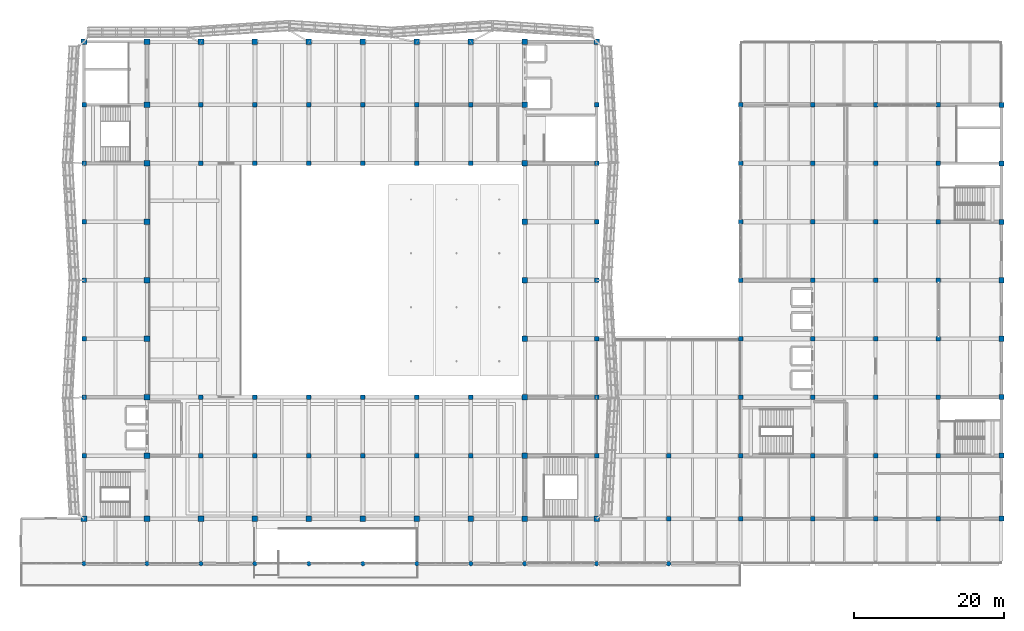
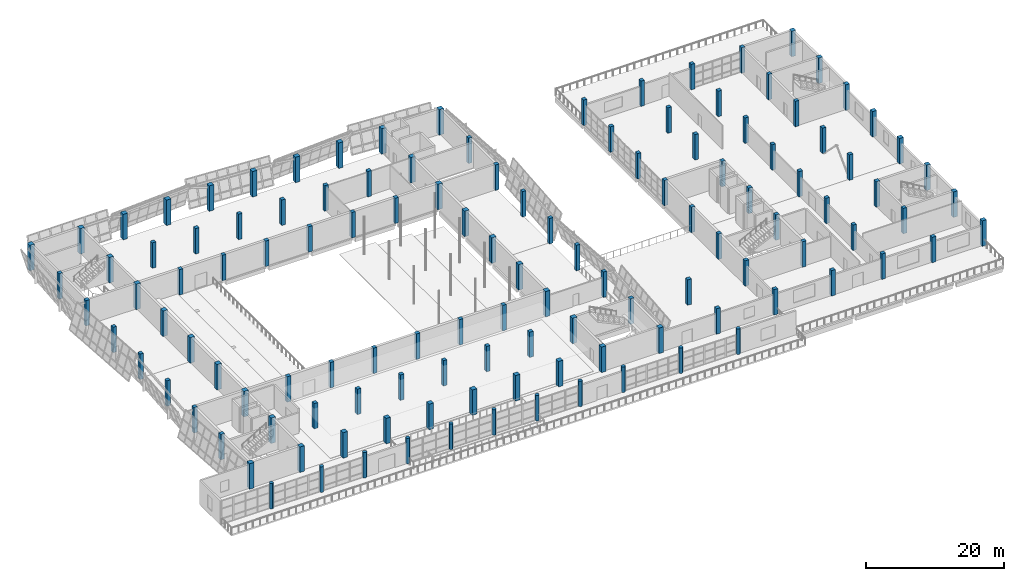
# One storey, part 1 of 71: 125 columns.
"""IFC4 building model written with IfcOpenShell, lengths in metres."""

from ifc_helpers import new_model, si_unit, direction, frame, origin, origin_2d, place, context, subcontext, project, spatial, rectangle, circle, extrude, material, material_profile, profile_set, type_object, element, save


model = new_model("IFC4")

# Units and contexts
model_context = context("Model", 3, precision=1e-05, world=origin(), true_north=direction((0.0, 1.0)))
body_context = subcontext(model_context, "Body", "Model", "MODEL_VIEW")
ifc_project = project(units=[si_unit("LENGTHUNIT", "METRE"), si_unit("AREAUNIT", "SQUARE_METRE"), si_unit("VOLUMEUNIT", "CUBIC_METRE"), si_unit("PLANEANGLEUNIT", "RADIAN"), si_unit("MASSUNIT", "GRAM", prefix="KILO")], contexts=[model_context])

# Site, building, storey
site_placement = place(None, origin())
site = spatial("IfcSite", under=ifc_project, at=site_placement, CompositionType="ELEMENT")
building_placement = place(site_placement, origin())
building = spatial("IfcBuilding", under=site, at=building_placement, Name="Pellamere Symphony Hall", CompositionType="ELEMENT")
storey_placement = place(building_placement, frame((0.0, 0.0, 15.0)))
storey = spatial("IfcBuildingStorey", under=building, at=storey_placement, Name="L03", CompositionType="ELEMENT", Elevation=15.0)

# Columns
ifc_material = material(Name="Concrete 40 MPa", Category="concrete")
ifc_material_profile_1 = material_profile(ifc_material, circle(Radius=0.300048828125, at=origin_2d()), Name="RCCOL D600")
ifc_profile_set_1 = profile_set([ifc_material_profile_1], Name="Concrete 40 MPa")
column_type_1 = type_object("IfcColumnType", Name="RC Circular Foyer Column CC-17 D600", PredefinedType="COLUMN", material=ifc_profile_set_1)
for number, where, z_axis, x_axis, name in (
    (1, (50.39990234375, 24.0, 0.0), (0.0, 0.0, 1.0), (1.0, 0.0, 0.0), "Column C-7D (L03)"),
    (2, (58.800048828125, 24.0, 0.0), (0.0, 0.0, 1.0), (1.0, 0.0, 0.0), "Column C-8D (L03)"),
    (3, (66.0, 24.0, 0.0), (0.0, 0.0, 1.0), (1.0, 0.0, 0.0), "Column C-9D (L03)"),
    (4, (73.199951171875, 24.0, 0.0), (0.0, 0.0, 1.0), (1.0, 0.0, 0.0), "Column C-10D (L03)"),
    (5, (80.39990234375, 24.0, 0.0), (0.0, 0.0, 1.0), (1.0, 0.0, 0.0), "Column C-11D (L03)"),
    (6, (87.60009765625, 24.0, 0.0), (0.0, 0.0, 1.0), (1.0, 0.0, 0.0), "Column C-12D (L03)"),
    (7, (94.800048828125, 24.0, 0.0), (0.0, 0.0, 1.0), (1.0, 0.0, 0.0), "Column C-13D (L03)"),
    (8, (102.0, 24.0, 0.0), (0.0, 0.0, 1.0), (1.0, 0.0, 0.0), "Column C-14D (L03)"),
    (9, (109.199951171875, 24.0, 0.0), (0.0, 0.0, 1.0), (1.0, 0.0, 0.0), "Column C-15D (L03)"),
    (10, (118.800048828125, 24.0, 0.0), (0.0, 0.0, 1.0), (1.0, 0.0, 0.0), "Column C-16D (L03)"),
    (11, (128.39990234375, 24.0, 0.0), (0.0, 0.0, 1.0), (1.0, 0.0, 0.0), "Column C-17D (L03)"),
):
    element("IfcColumn", number, at=place(storey_placement, frame(where, z_axis=z_axis, x_axis=x_axis)), inside=storey, type_object=column_type_1, Name=name, PredefinedType="COLUMN", context=body_context, shape_type="SweptSolid", body=[
        extrude(circle(Radius=0.300048828125, at=origin_2d()), origin(), (0.0, 0.0, 1.0), 4.5),
    ])
ifc_material_profile_2 = material_profile(ifc_material, rectangle(XDim=0.75, YDim=0.75, at=origin_2d()), Name="RC 750x750")
ifc_profile_set_2 = profile_set([ifc_material_profile_2], Name="Concrete 40 MPa")
column_type_2 = type_object("IfcColumnType", Name="RC Column CC-05 750x750", PredefinedType="COLUMN", material=ifc_profile_set_2)
for number, where, z_axis, x_axis, name in (
    (12, (50.39990234375, 30.0, 0.0), (0.0, 0.0, 1.0), (1.0, 0.0, 0.0), "Column C-7E (L03)"),
    (13, (50.39990234375, 93.60009765625, 0.0), (0.0, 0.0, 1.0), (1.0, 0.0, 0.0), "Column C-7M (L03)"),
    (14, (58.800048828125, 30.0, 0.0), (0.0, 0.0, 1.0), (1.0, 0.0, 0.0), "Column C-8E (L03)"),
    (15, (58.800048828125, 38.39990234375, 0.0), (0.0, 0.0, 1.0), (1.0, 0.0, 0.0), "Column C-8F (L03)"),
    (16, (58.800048828125, 46.199951171875, 0.0), (0.0, 0.0, 1.0), (1.0, 0.0, 0.0), "Column C-8G (L03)"),
    (17, (58.800048828125, 54.0, 0.0), (0.0, 0.0, 1.0), (1.0, 0.0, 0.0), "Column C-8H (L03)"),
    (18, (58.800048828125, 61.800048828125, 0.0), (0.0, 0.0, 1.0), (1.0, 0.0, 0.0), "Column C-8I (L03)"),
    (19, (58.800048828125, 69.60009765625, 0.0), (0.0, 0.0, 1.0), (1.0, 0.0, 0.0), "Column C-8J (L03)"),
    (20, (58.800048828125, 77.39990234375, 0.0), (0.0, 0.0, 1.0), (1.0, 0.0, 0.0), "Column C-8K (L03)"),
    (21, (58.800048828125, 85.199951171875, 0.0), (0.0, 0.0, 1.0), (1.0, 0.0, 0.0), "Column C-8L (L03)"),
    (22, (58.800048828125, 93.60009765625, 0.0), (0.0, 0.0, 1.0), (1.0, 0.0, 0.0), "Column C-8M (L03)"),
    (23, (66.0, 30.0, 0.0), (0.0, 0.0, 1.0), (1.0, 0.0, 0.0), "Column C-9E (L03)"),
    (24, (66.0, 93.60009765625, 0.0), (0.0, 0.0, 1.0), (1.0, 0.0, 0.0), "Column C-9M (L03)"),
    (25, (73.199951171875, 30.0, 0.0), (0.0, 0.0, 1.0), (1.0, 0.0, 0.0), "Column C-10E (L03)"),
    (26, (73.199951171875, 93.60009765625, 0.0), (0.0, 0.0, 1.0), (1.0, 0.0, 0.0), "Column C-10M (L03)"),
    (27, (80.39990234375, 30.0, 0.0), (0.0, 0.0, 1.0), (1.0, 0.0, 0.0), "Column C-11E (L03)"),
    (28, (80.39990234375, 93.60009765625, 0.0), (0.0, 0.0, 1.0), (1.0, 0.0, 0.0), "Column C-11M (L03)"),
    (29, (87.60009765625, 30.0, 0.0), (0.0, 0.0, 1.0), (1.0, 0.0, 0.0), "Column C-12E (L03)"),
    (30, (87.60009765625, 93.60009765625, 0.0), (0.0, 0.0, 1.0), (1.0, 0.0, 0.0), "Column C-12M (L03)"),
    (31, (94.800048828125, 30.0, 0.0), (0.0, 0.0, 1.0), (1.0, 0.0, 0.0), "Column C-13E (L03)"),
    (32, (94.800048828125, 93.60009765625, 0.0), (0.0, 0.0, 1.0), (1.0, 0.0, 0.0), "Column C-13M (L03)"),
    (33, (102.0, 30.0, 0.0), (0.0, 0.0, 1.0), (1.0, 0.0, 0.0), "Column C-14E (L03)"),
    (34, (102.0, 93.60009765625, 0.0), (0.0, 0.0, 1.0), (1.0, 0.0, 0.0), "Column C-14M (L03)"),
    (35, (109.199951171875, 30.0, 0.0), (0.0, 0.0, 1.0), (1.0, 0.0, 0.0), "Column C-15E (L03)"),
    (36, (109.199951171875, 38.39990234375, 0.0), (0.0, 0.0, 1.0), (1.0, 0.0, 0.0), "Column C-15F (L03)"),
    (37, (109.199951171875, 46.199951171875, 0.0), (0.0, 0.0, 1.0), (1.0, 0.0, 0.0), "Column C-15G (L03)"),
    (38, (109.199951171875, 54.0, 0.0), (0.0, 0.0, 1.0), (1.0, 0.0, 0.0), "Column C-15H (L03)"),
    (39, (109.199951171875, 61.800048828125, 0.0), (0.0, 0.0, 1.0), (1.0, 0.0, 0.0), "Column C-15I (L03)"),
    (40, (109.199951171875, 69.60009765625, 0.0), (0.0, 0.0, 1.0), (1.0, 0.0, 0.0), "Column C-15J (L03)"),
    (41, (109.199951171875, 77.39990234375, 0.0), (0.0, 0.0, 1.0), (1.0, 0.0, 0.0), "Column C-15K (L03)"),
    (42, (109.199951171875, 85.199951171875, 0.0), (0.0, 0.0, 1.0), (1.0, 0.0, 0.0), "Column C-15L (L03)"),
    (43, (109.199951171875, 93.60009765625, 0.0), (0.0, 0.0, 1.0), (1.0, 0.0, 0.0), "Column C-15M (L03)"),
    (44, (118.800048828125, 30.0, 0.0), (0.0, 0.0, 1.0), (1.0, 0.0, 0.0), "Column C-16E (L03)"),
    (45, (118.800048828125, 93.60009765625, 0.0), (0.0, 0.0, 1.0), (1.0, 0.0, 0.0), "Column C-16M (L03)"),
):
    element("IfcColumn", number, at=place(storey_placement, frame(where, z_axis=z_axis, x_axis=x_axis)), inside=storey, type_object=column_type_2, Name=name, PredefinedType="COLUMN", context=body_context, shape_type="SweptSolid", body=[
        extrude(rectangle(XDim=0.75, YDim=0.75, at=origin_2d()), origin(), (0.0, 0.0, 1.0), 4.5),
    ])
ifc_material_profile_3 = material_profile(ifc_material, rectangle(XDim=0.60009765625, YDim=0.60009765625, at=origin_2d()), Name="RC 600x600")
ifc_profile_set_3 = profile_set([ifc_material_profile_3], Name="Concrete 40 MPa")
column_type_3 = type_object("IfcColumnType", Name="RC Column CC-08 600x600", PredefinedType="COLUMN", material=ifc_profile_set_3)
for number, where, z_axis, x_axis, name in (
    (46, (50.39990234375, 38.39990234375, 0.0), (0.0, 0.0, 1.0), (1.0, 0.0, 0.0), "Column C-7F (L03)"),
    (47, (50.39990234375, 46.199951171875, 0.0), (0.0, 0.0, 1.0), (1.0, 0.0, 0.0), "Column C-7G (L03)"),
    (48, (50.39990234375, 54.0, 0.0), (0.0, 0.0, 1.0), (1.0, 0.0, 0.0), "Column C-7H (L03)"),
    (49, (50.39990234375, 61.800048828125, 0.0), (0.0, 0.0, 1.0), (1.0, 0.0, 0.0), "Column C-7I (L03)"),
    (50, (50.39990234375, 69.60009765625, 0.0), (0.0, 0.0, 1.0), (1.0, 0.0, 0.0), "Column C-7J (L03)"),
    (51, (50.39990234375, 77.39990234375, 0.0), (0.0, 0.0, 1.0), (1.0, 0.0, 0.0), "Column C-7K (L03)"),
    (52, (50.39990234375, 85.199951171875, 0.0), (0.0, 0.0, 1.0), (1.0, 0.0, 0.0), "Column C-7L (L03)"),
    (53, (66.0, 38.39990234375, 0.0), (0.0, 0.0, 1.0), (1.0, 0.0, 0.0), "Column C-9F (L03)"),
    (54, (66.0, 46.199951171875, 0.0), (0.0, 0.0, 1.0), (1.0, 0.0, 0.0), "Column C-9G (L03)"),
    (55, (66.0, 77.39990234375, 0.0), (0.0, 0.0, 1.0), (1.0, 0.0, 0.0), "Column C-9K (L03)"),
    (56, (66.0, 85.199951171875, 0.0), (0.0, 0.0, 1.0), (1.0, 0.0, 0.0), "Column C-9L (L03)"),
    (57, (73.199951171875, 38.39990234375, 0.0), (0.0, 0.0, 1.0), (1.0, 0.0, 0.0), "Column C-10F (L03)"),
    (58, (73.199951171875, 46.199951171875, 0.0), (0.0, 0.0, 1.0), (1.0, 0.0, 0.0), "Column C-10G (L03)"),
    (59, (73.199951171875, 77.39990234375, 0.0), (0.0, 0.0, 1.0), (1.0, 0.0, 0.0), "Column C-10K (L03)"),
    (60, (73.199951171875, 85.199951171875, 0.0), (0.0, 0.0, 1.0), (1.0, 0.0, 0.0), "Column C-10L (L03)"),
    (61, (80.39990234375, 38.39990234375, 0.0), (0.0, 0.0, 1.0), (1.0, 0.0, 0.0), "Column C-11F (L03)"),
    (62, (80.39990234375, 46.199951171875, 0.0), (0.0, 0.0, 1.0), (1.0, 0.0, 0.0), "Column C-11G (L03)"),
    (63, (80.39990234375, 77.39990234375, 0.0), (0.0, 0.0, 1.0), (1.0, 0.0, 0.0), "Column C-11K (L03)"),
    (64, (80.39990234375, 85.199951171875, 0.0), (0.0, 0.0, 1.0), (1.0, 0.0, 0.0), "Column C-11L (L03)"),
    (65, (87.60009765625, 38.39990234375, 0.0), (0.0, 0.0, 1.0), (1.0, 0.0, 0.0), "Column C-12F (L03)"),
    (66, (87.60009765625, 46.199951171875, 0.0), (0.0, 0.0, 1.0), (1.0, 0.0, 0.0), "Column C-12G (L03)"),
    (67, (87.60009765625, 77.39990234375, 0.0), (0.0, 0.0, 1.0), (1.0, 0.0, 0.0), "Column C-12K (L03)"),
    (68, (87.60009765625, 85.199951171875, 0.0), (0.0, 0.0, 1.0), (1.0, 0.0, 0.0), "Column C-12L (L03)"),
    (69, (94.800048828125, 38.39990234375, 0.0), (0.0, 0.0, 1.0), (1.0, 0.0, 0.0), "Column C-13F (L03)"),
    (70, (94.800048828125, 46.199951171875, 0.0), (0.0, 0.0, 1.0), (1.0, 0.0, 0.0), "Column C-13G (L03)"),
    (71, (94.800048828125, 77.39990234375, 0.0), (0.0, 0.0, 1.0), (1.0, 0.0, 0.0), "Column C-13K (L03)"),
    (72, (94.800048828125, 85.199951171875, 0.0), (0.0, 0.0, 1.0), (1.0, 0.0, 0.0), "Column C-13L (L03)"),
    (73, (102.0, 38.39990234375, 0.0), (0.0, 0.0, 1.0), (1.0, 0.0, 0.0), "Column C-14F (L03)"),
    (74, (102.0, 46.199951171875, 0.0), (0.0, 0.0, 1.0), (1.0, 0.0, 0.0), "Column C-14G (L03)"),
    (75, (102.0, 77.39990234375, 0.0), (0.0, 0.0, 1.0), (1.0, 0.0, 0.0), "Column C-14K (L03)"),
    (76, (102.0, 85.199951171875, 0.0), (0.0, 0.0, 1.0), (1.0, 0.0, 0.0), "Column C-14L (L03)"),
    (77, (118.800048828125, 38.39990234375, 0.0), (0.0, 0.0, 1.0), (1.0, 0.0, 0.0), "Column C-16F (L03)"),
    (78, (118.800048828125, 46.199951171875, 0.0), (0.0, 0.0, 1.0), (1.0, 0.0, 0.0), "Column C-16G (L03)"),
    (79, (118.800048828125, 54.0, 0.0), (0.0, 0.0, 1.0), (1.0, 0.0, 0.0), "Column C-16H (L03)"),
    (80, (118.800048828125, 61.800048828125, 0.0), (0.0, 0.0, 1.0), (1.0, 0.0, 0.0), "Column C-16I (L03)"),
    (81, (118.800048828125, 69.60009765625, 0.0), (0.0, 0.0, 1.0), (1.0, 0.0, 0.0), "Column C-16J (L03)"),
    (82, (118.800048828125, 77.39990234375, 0.0), (0.0, 0.0, 1.0), (1.0, 0.0, 0.0), "Column C-16K (L03)"),
    (83, (118.800048828125, 85.199951171875, 0.0), (0.0, 0.0, 1.0), (1.0, 0.0, 0.0), "Column C-16L (L03)"),
    (84, (128.39990234375, 30.0, 0.0), (0.0, 0.0, 1.0), (1.0, 0.0, 0.0), "Column C-17E (L03)"),
    (85, (128.39990234375, 38.39990234375, 0.0), (0.0, 0.0, 1.0), (1.0, 0.0, 0.0), "Column C-17F (L03)"),
    (86, (138.0, 30.0, 0.0), (0.0, 0.0, 1.0), (1.0, 0.0, 0.0), "Column C-18E (L03)"),
    (87, (138.0, 38.39990234375, 0.0), (0.0, 0.0, 1.0), (1.0, 0.0, 0.0), "Column C-18F (L03)"),
    (88, (138.0, 46.199951171875, 0.0), (0.0, 0.0, 1.0), (1.0, 0.0, 0.0), "Column C-18G (L03)"),
    (89, (138.0, 54.0, 0.0), (0.0, 0.0, 1.0), (1.0, 0.0, 0.0), "Column C-18H (L03)"),
    (90, (138.0, 61.800048828125, 0.0), (0.0, 0.0, 1.0), (1.0, 0.0, 0.0), "Column C-18I (L03)"),
    (91, (138.0, 69.60009765625, 0.0), (0.0, 0.0, 1.0), (1.0, 0.0, 0.0), "Column C-18J (L03)"),
    (92, (138.0, 77.39990234375, 0.0), (0.0, 0.0, 1.0), (1.0, 0.0, 0.0), "Column C-18K (L03)"),
    (93, (138.0, 85.199951171875, 0.0), (0.0, 0.0, 1.0), (1.0, 0.0, 0.0), "Column C-18L (L03)"),
    (94, (147.60009765625, 30.0, 0.0), (0.0, 0.0, 1.0), (1.0, 0.0, 0.0), "Column C-19E (L03)"),
    (95, (147.60009765625, 38.39990234375, 0.0), (0.0, 0.0, 1.0), (1.0, 0.0, 0.0), "Column C-19F (L03)"),
    (96, (147.60009765625, 46.199951171875, 0.0), (0.0, 0.0, 1.0), (1.0, 0.0, 0.0), "Column C-19G (L03)"),
    (97, (147.60009765625, 54.0, 0.0), (0.0, 0.0, 1.0), (1.0, 0.0, 0.0), "Column C-19H (L03)"),
    (98, (147.60009765625, 61.800048828125, 0.0), (0.0, 0.0, 1.0), (1.0, 0.0, 0.0), "Column C-19I (L03)"),
    (99, (147.60009765625, 69.60009765625, 0.0), (0.0, 0.0, 1.0), (1.0, 0.0, 0.0), "Column C-19J (L03)"),
    (100, (147.60009765625, 77.39990234375, 0.0), (0.0, 0.0, 1.0), (1.0, 0.0, 0.0), "Column C-19K (L03)"),
    (101, (147.60009765625, 85.199951171875, 0.0), (0.0, 0.0, 1.0), (1.0, 0.0, 0.0), "Column C-19L (L03)"),
    (102, (156.0, 30.0, 0.0), (0.0, 0.0, 1.0), (1.0, 0.0, 0.0), "Column C-20E (L03)"),
    (103, (156.0, 38.39990234375, 0.0), (0.0, 0.0, 1.0), (1.0, 0.0, 0.0), "Column C-20F (L03)"),
    (104, (156.0, 46.199951171875, 0.0), (0.0, 0.0, 1.0), (1.0, 0.0, 0.0), "Column C-20G (L03)"),
    (105, (156.0, 54.0, 0.0), (0.0, 0.0, 1.0), (1.0, 0.0, 0.0), "Column C-20H (L03)"),
    (106, (156.0, 61.800048828125, 0.0), (0.0, 0.0, 1.0), (1.0, 0.0, 0.0), "Column C-20I (L03)"),
    (107, (156.0, 69.60009765625, 0.0), (0.0, 0.0, 1.0), (1.0, 0.0, 0.0), "Column C-20J (L03)"),
    (108, (156.0, 77.39990234375, 0.0), (0.0, 0.0, 1.0), (1.0, 0.0, 0.0), "Column C-20K (L03)"),
    (109, (156.0, 85.199951171875, 0.0), (0.0, 0.0, 1.0), (1.0, 0.0, 0.0), "Column C-20L (L03)"),
    (110, (164.39990234375, 30.0, 0.0), (0.0, 0.0, 1.0), (1.0, 0.0, 0.0), "Column C-21E (L03)"),
    (111, (164.39990234375, 38.39990234375, 0.0), (0.0, 0.0, 1.0), (1.0, 0.0, 0.0), "Column C-21F (L03)"),
    (112, (164.39990234375, 46.199951171875, 0.0), (0.0, 0.0, 1.0), (1.0, 0.0, 0.0), "Column C-21G (L03)"),
    (113, (164.39990234375, 54.0, 0.0), (0.0, 0.0, 1.0), (1.0, 0.0, 0.0), "Column C-21H (L03)"),
    (114, (164.39990234375, 61.800048828125, 0.0), (0.0, 0.0, 1.0), (1.0, 0.0, 0.0), "Column C-21I (L03)"),
    (115, (164.39990234375, 69.60009765625, 0.0), (0.0, 0.0, 1.0), (1.0, 0.0, 0.0), "Column C-21J (L03)"),
    (116, (164.39990234375, 77.39990234375, 0.0), (0.0, 0.0, 1.0), (1.0, 0.0, 0.0), "Column C-21K (L03)"),
    (117, (164.39990234375, 85.199951171875, 0.0), (0.0, 0.0, 1.0), (1.0, 0.0, 0.0), "Column C-21L (L03)"),
):
    element("IfcColumn", number, at=place(storey_placement, frame(where, z_axis=z_axis, x_axis=x_axis)), inside=storey, type_object=column_type_3, Name=name, PredefinedType="COLUMN", context=body_context, shape_type="SweptSolid", body=[
        extrude(rectangle(XDim=0.60009765625, YDim=0.60009765625, at=origin_2d()), origin(), (0.0, 0.0, 1.0), 4.5),
    ])
ifc_material_profile_4 = material_profile(ifc_material, rectangle(XDim=0.679931640625, YDim=0.679931640625, at=origin_2d()), Name="RC 680x680")
ifc_profile_set_4 = profile_set([ifc_material_profile_4], Name="Concrete 40 MPa")
column_type_4 = type_object("IfcColumnType", Name="RC Column CCP-05 680x680", PredefinedType="COLUMN", material=ifc_profile_set_4)
for number, where, z_axis, x_axis, name in (
    (118, (172.800048828125, 30.0, 0.0), (0.0, 0.0, 1.0), (1.0, 0.0, 0.0), "Column C-22E (L03)"),
    (119, (172.800048828125, 38.39990234375, 0.0), (0.0, 0.0, 1.0), (1.0, 0.0, 0.0), "Column C-22F (L03)"),
    (120, (172.800048828125, 46.199951171875, 0.0), (0.0, 0.0, 1.0), (1.0, 0.0, 0.0), "Column C-22G (L03)"),
    (121, (172.800048828125, 54.0, 0.0), (0.0, 0.0, 1.0), (1.0, 0.0, 0.0), "Column C-22H (L03)"),
    (122, (172.800048828125, 61.800048828125, 0.0), (0.0, 0.0, 1.0), (1.0, 0.0, 0.0), "Column C-22I (L03)"),
    (123, (172.800048828125, 69.60009765625, 0.0), (0.0, 0.0, 1.0), (1.0, 0.0, 0.0), "Column C-22J (L03)"),
    (124, (172.800048828125, 77.39990234375, 0.0), (0.0, 0.0, 1.0), (1.0, 0.0, 0.0), "Column C-22K (L03)"),
    (125, (172.800048828125, 85.199951171875, 0.0), (0.0, 0.0, 1.0), (1.0, 0.0, 0.0), "Column C-22L (L03)"),
):
    element("IfcColumn", number, at=place(storey_placement, frame(where, z_axis=z_axis, x_axis=x_axis)), inside=storey, type_object=column_type_4, Name=name, PredefinedType="COLUMN", context=body_context, shape_type="SweptSolid", body=[
        extrude(rectangle(XDim=0.679931640625, YDim=0.679931640625, at=origin_2d()), origin(), (0.0, 0.0, 1.0), 4.5),
    ])

save(model, "model.ifc")
